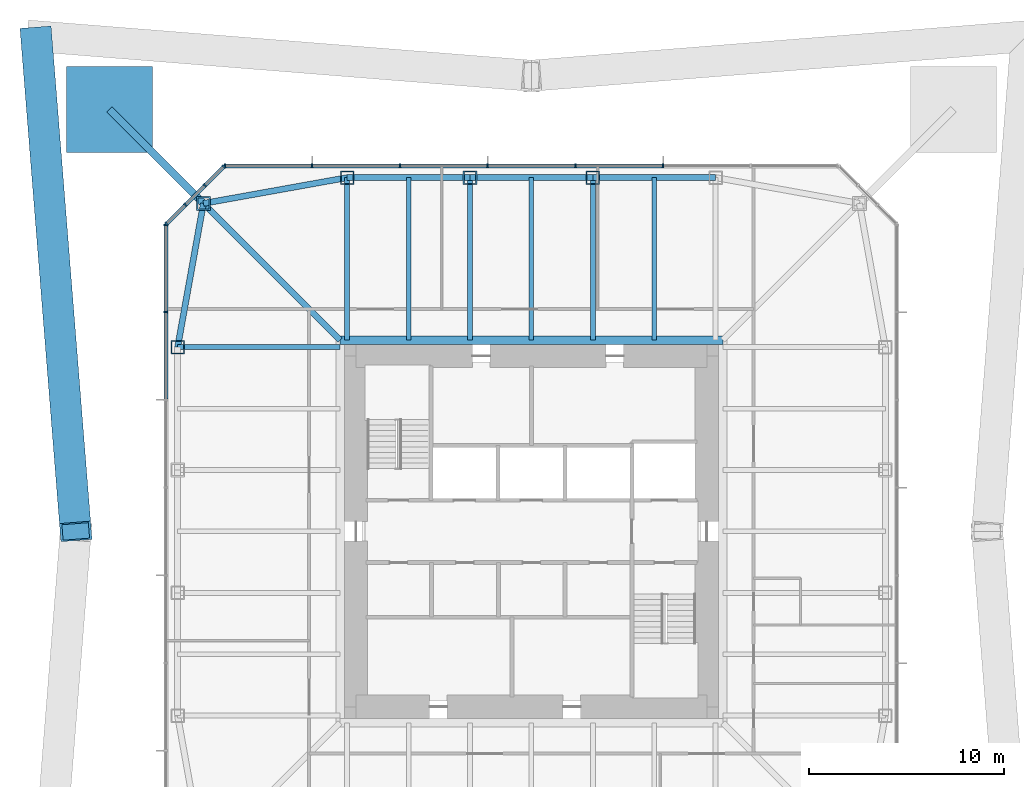
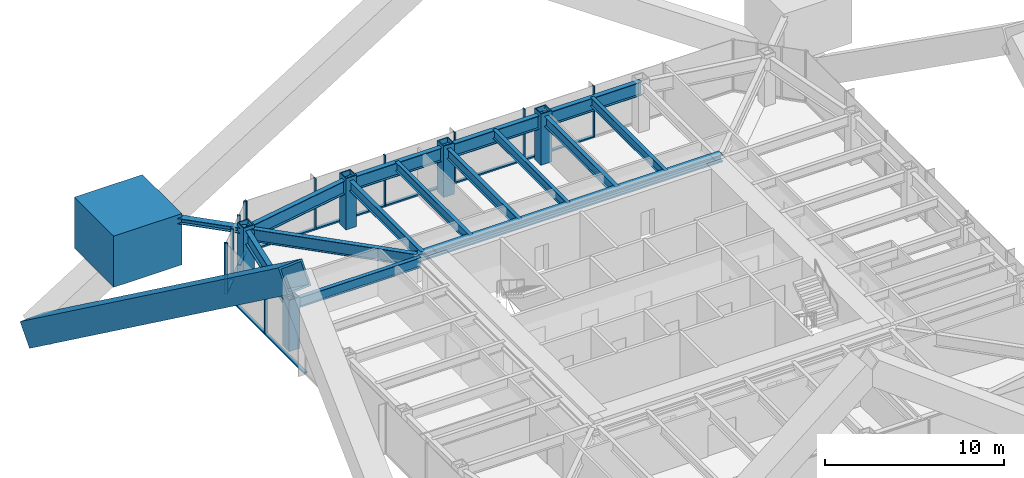
# One storey, part 4 of 11: 30 members, 14 beams, 3 elements without a shape of their own.
"""IFC4 building model written with IfcOpenShell, lengths in metres."""

from ifc_helpers import new_model, si_unit, direction, frame, origin, origin_2d, place, context, subcontext, project, spatial, rectangle, hollow_rectangle, i_section, extrude, material, material_profile, profile_set, type_object, element, aggregate, save


model = new_model("IFC4")

# Units and contexts
model_context = context("Model", 3, precision=1e-05, world=origin(), true_north=direction((0.0, 1.0)))
body_context = subcontext(model_context, "Body", "Model", "MODEL_VIEW")
ifc_project = project(units=[si_unit("LENGTHUNIT", "METRE"), si_unit("AREAUNIT", "SQUARE_METRE"), si_unit("VOLUMEUNIT", "CUBIC_METRE"), si_unit("PLANEANGLEUNIT", "RADIAN"), si_unit("MASSUNIT", "GRAM", prefix="KILO")], contexts=[model_context])

# Site, building, storey
site_placement = place(None, origin())
site = spatial("IfcSite", under=ifc_project, at=site_placement, CompositionType="ELEMENT")
building_placement = place(site_placement, origin())
building = spatial("IfcBuilding", under=site, at=building_placement, Name="Iwan Alto Co-Living Towers", CompositionType="ELEMENT")
storey_placement = place(building_placement, frame((0.0, 0.0, 149.5)))
storey = spatial("IfcBuildingStorey", under=building, at=storey_placement, Name="L40", CompositionType="ELEMENT", Elevation=149.5)

# Curtain wall, members
ifc_material_1 = material(Name="Bronze aluminium unitised frame", Category="aluminium")
curtain_wall_type_1 = type_object("IfcCurtainWallType", Name="CURTAIN WALL CW-A", PredefinedType="NOTDEFINED", material=ifc_material_1)
curtain_wall_1_placement = place(storey_placement, origin())
curtain_wall_1 = element("IfcCurtainWall", 1, at=curtain_wall_1_placement, inside=storey, type_object=curtain_wall_type_1, Name="T1 curtain wall N L40", PredefinedType="NOTDEFINED")
ifc_material_2 = material(Name="Aluminium 6063-T6 bronze anodised", Category="aluminium")
ifc_material_profile_1 = material_profile(ifc_material_2, rectangle(XDim=0.199951171875, YDim=0.080078125, at=origin_2d()), Name="AL 80X200")
ifc_profile_set_1 = profile_set([ifc_material_profile_1], Name="Aluminium 6063-T6 bronze anodised")
member_type_1 = type_object("IfcMemberType", Name="CW-A MULLION 80X200", PredefinedType="MULLION", material=ifc_profile_set_1)
member_1_placement = place(storey_placement, frame((6.75, 18.75, 0.0), z_axis=(0.0, 0.0, 1.0), x_axis=(0.0, -1.0, 0.0)))
member_1 = element("IfcMember", 2, at=member_1_placement, type_object=member_type_1, Name="CW-A mullion 3", PredefinedType="MULLION", context=body_context, shape_type="SweptSolid", body=[
    extrude(rectangle(XDim=0.199951171875, YDim=0.080078125, at=origin_2d()), origin(), (0.0, 0.0, 1.0), 3.5),
])
member_2_placement = place(storey_placement, frame((2.25, 18.75, 0.0), z_axis=(0.0, 0.0, 1.0), x_axis=(0.0, -1.0, 0.0)))
member_2 = element("IfcMember", 3, at=member_2_placement, type_object=member_type_1, Name="CW-A mullion 4", PredefinedType="MULLION", context=body_context, shape_type="SweptSolid", body=[
    extrude(rectangle(XDim=0.199951171875, YDim=0.080078125, at=origin_2d()), origin(), (0.0, 0.0, 1.0), 3.5),
])
member_3_placement = place(storey_placement, frame((-2.25, 18.75, 0.0), z_axis=(0.0, 0.0, 1.0), x_axis=(0.0, -1.0, 0.0)))
member_3 = element("IfcMember", 4, at=member_3_placement, type_object=member_type_1, Name="CW-A mullion 5", PredefinedType="MULLION", context=body_context, shape_type="SweptSolid", body=[
    extrude(rectangle(XDim=0.199951171875, YDim=0.080078125, at=origin_2d()), origin(), (0.0, 0.0, 1.0), 3.5),
])
member_4_placement = place(storey_placement, frame((-6.75, 18.75, 0.0), z_axis=(0.0, 0.0, 1.0), x_axis=(0.0, -1.0, 0.0)))
member_4 = element("IfcMember", 5, at=member_4_placement, type_object=member_type_1, Name="CW-A mullion 6", PredefinedType="MULLION", context=body_context, shape_type="SweptSolid", body=[
    extrude(rectangle(XDim=0.199951171875, YDim=0.080078125, at=origin_2d()), origin(), (0.0, 0.0, 1.0), 3.5),
])
member_5_placement = place(storey_placement, frame((-11.25, 18.75, 0.0), z_axis=(0.0, 0.0, 1.0), x_axis=(0.0, -1.0, 0.0)))
member_5 = element("IfcMember", 6, at=member_5_placement, type_object=member_type_1, Name="CW-A mullion 7", PredefinedType="MULLION", context=body_context, shape_type="SweptSolid", body=[
    extrude(rectangle(XDim=0.199951171875, YDim=0.080078125, at=origin_2d()), origin(), (0.0, 0.0, 1.0), 3.5),
])
member_6_placement = place(storey_placement, frame((-15.7099609375, 18.75, 0.0), z_axis=(0.0, 0.0, 1.0), x_axis=(0.0, -1.0, 0.0)))
member_6 = element("IfcMember", 7, at=member_6_placement, type_object=member_type_1, Name="CW-A mullion 8", PredefinedType="MULLION", context=body_context, shape_type="SweptSolid", body=[
    extrude(rectangle(XDim=0.199951171875, YDim=0.080078125, at=origin_2d()), origin(), (0.0, 0.0, 1.0), 3.5),
])

curtain_wall_2_placement = place(storey_placement, origin())
curtain_wall_2 = element("IfcCurtainWall", 8, at=curtain_wall_2_placement, inside=storey, type_object=curtain_wall_type_1, Name="T1 curtain wall W L40", PredefinedType="NOTDEFINED")
member_7_placement = place(storey_placement, frame((-18.75, 15.7099609375, 0.0), z_axis=(0.0, 0.0, 1.0), x_axis=(1.0, 0.0, 0.0)))
member_7 = element("IfcMember", 9, at=member_7_placement, type_object=member_type_1, Name="CW-A mullion 1", PredefinedType="MULLION", context=body_context, shape_type="SweptSolid", body=[
    extrude(rectangle(XDim=0.199951171875, YDim=0.080078125, at=origin_2d()), origin(), (0.0, 0.0, 1.0), 3.5),
])
member_8_placement = place(storey_placement, frame((-18.75, 11.25, 0.0), z_axis=(0.0, 0.0, 1.0), x_axis=(1.0, 0.0, 0.0)))
member_8 = element("IfcMember", 10, at=member_8_placement, type_object=member_type_1, Name="CW-A mullion 2", PredefinedType="MULLION", context=body_context, shape_type="SweptSolid", body=[
    extrude(rectangle(XDim=0.199951171875, YDim=0.080078125, at=origin_2d()), origin(), (0.0, 0.0, 1.0), 3.5),
])

# Member
ifc_material_3 = material(Name="Aluminium 6063-T6 bronze anodised", Category="aluminium")
ifc_material_profile_2 = material_profile(ifc_material_3, rectangle(XDim=0.199951171875, YDim=0.10009765625, at=origin_2d()), Name="AL 200X100")
ifc_profile_set_2 = profile_set([ifc_material_profile_2], Name="Aluminium 6063-T6 bronze anodised")
member_type_2 = type_object("IfcMemberType", Name="CW-A TRANSOM 200X100", PredefinedType="USERDEFINED", material=ifc_profile_set_2)
member_9_placement = place(storey_placement, frame((6.7099609375, 18.75, 0.050048828125), z_axis=(-1.0, 0.0, 0.0), x_axis=(0.0, -1.0, 0.0)))
member_9 = element("IfcMember", 11, at=member_9_placement, type_object=member_type_2, Name="CW-A transom 3.1", ObjectType="TRANSOM", PredefinedType="USERDEFINED", context=body_context, shape_type="SweptSolid", body=[
    extrude(rectangle(XDim=0.199951171875, YDim=0.10009765625, at=origin_2d()), origin(), (0.0, 0.0, 1.0), 4.419921875),
])

member_10_placement = place(storey_placement, frame((2.2099609375, 18.75, 0.050048828125), z_axis=(-1.0, 0.0, 0.0), x_axis=(0.0, -1.0, 0.0)))
member_10 = element("IfcMember", 12, at=member_10_placement, type_object=member_type_2, Name="CW-A transom 4.1", ObjectType="TRANSOM", PredefinedType="USERDEFINED", context=body_context, shape_type="SweptSolid", body=[
    extrude(rectangle(XDim=0.199951171875, YDim=0.10009765625, at=origin_2d()), origin(), (0.0, 0.0, 1.0), 4.419921875),
])

member_11_placement = place(storey_placement, frame((-2.2900390625, 18.75, 0.050048828125), z_axis=(-1.0, 0.0, 0.0), x_axis=(0.0, -1.0, 0.0)))
member_11 = element("IfcMember", 13, at=member_11_placement, type_object=member_type_2, Name="CW-A transom 5.1", ObjectType="TRANSOM", PredefinedType="USERDEFINED", context=body_context, shape_type="SweptSolid", body=[
    extrude(rectangle(XDim=0.199951171875, YDim=0.10009765625, at=origin_2d()), origin(), (0.0, 0.0, 1.0), 4.419921875),
])

member_12_placement = place(storey_placement, frame((-6.7900390625, 18.75, 0.050048828125), z_axis=(-1.0, 0.0, 0.0), x_axis=(0.0, -1.0, 0.0)))
member_12 = element("IfcMember", 14, at=member_12_placement, type_object=member_type_2, Name="CW-A transom 6.1", ObjectType="TRANSOM", PredefinedType="USERDEFINED", context=body_context, shape_type="SweptSolid", body=[
    extrude(rectangle(XDim=0.199951171875, YDim=0.10009765625, at=origin_2d()), origin(), (0.0, 0.0, 1.0), 4.419921875),
])

member_13_placement = place(storey_placement, frame((-11.2900390625, 18.75, 0.050048828125), z_axis=(-1.0, 0.0, 0.0), x_axis=(0.0, -1.0, 0.0)))
member_13 = element("IfcMember", 15, at=member_13_placement, type_object=member_type_2, Name="CW-A transom 7.1", ObjectType="TRANSOM", PredefinedType="USERDEFINED", context=body_context, shape_type="SweptSolid", body=[
    extrude(rectangle(XDim=0.199951171875, YDim=0.10009765625, at=origin_2d()), origin(), (0.0, 0.0, 1.0), 4.3798828125),
])

aggregate(curtain_wall_1, [member_1, member_2, member_3, member_4, member_5, member_6, member_9, member_10, member_11, member_12, member_13])

member_14_placement = place(storey_placement, frame((-18.75, 15.669921875, 0.050048828125), z_axis=(0.0, -1.0, 0.0), x_axis=(1.0, 0.0, 0.0)))
member_14 = element("IfcMember", 16, at=member_14_placement, type_object=member_type_2, Name="CW-A transom 1.1", ObjectType="TRANSOM", PredefinedType="USERDEFINED", context=body_context, shape_type="SweptSolid", body=[
    extrude(rectangle(XDim=0.199951171875, YDim=0.10009765625, at=origin_2d()), origin(), (0.0, 0.0, 1.0), 4.3798828125),
])

member_15_placement = place(storey_placement, frame((-18.75, 11.2099609375, 0.050048828125), z_axis=(0.0, -1.0, 0.0), x_axis=(1.0, 0.0, 0.0)))
member_15 = element("IfcMember", 17, at=member_15_placement, type_object=member_type_2, Name="CW-A transom 2.1", ObjectType="TRANSOM", PredefinedType="USERDEFINED", context=body_context, shape_type="SweptSolid", body=[
    extrude(rectangle(XDim=0.199951171875, YDim=0.10009765625, at=origin_2d()), origin(), (0.0, 0.0, 1.0), 4.419921875),
])

aggregate(curtain_wall_2, [member_7, member_8, member_14, member_15])

# Curtain wall, members
ifc_material_4 = material(Name="Bronze aluminium unitised frame", Category="aluminium")
curtain_wall_type_2 = type_object("IfcCurtainWallType", Name="CURTAIN WALL CW-B", PredefinedType="NOTDEFINED", material=ifc_material_4)
curtain_wall_3_placement = place(storey_placement, origin())
curtain_wall_3 = element("IfcCurtainWall", 18, at=curtain_wall_3_placement, inside=storey, type_object=curtain_wall_type_2, Name="T1 chamfer curtain wall NW L40", PredefinedType="NOTDEFINED")
ifc_material_5 = material(Name="Aluminium 6063-T6 bronze anodised", Category="aluminium")
ifc_material_profile_3 = material_profile(ifc_material_5, rectangle(XDim=0.199951171875, YDim=0.080078125, at=origin_2d()), Name="AL 80X200")
ifc_profile_set_3 = profile_set([ifc_material_profile_3], Name="Aluminium 6063-T6 bronze anodised")
member_type_3 = type_object("IfcMemberType", Name="CW-B MULLION 80X200", PredefinedType="MULLION", material=ifc_profile_set_3)
member_16_placement = place(storey_placement, frame((-15.7783203125, 18.7216796875, 0.0), z_axis=(0.0, 0.0, 1.0), x_axis=(0.707106781187, -0.707106781187, 0.0)))
member_16 = element("IfcMember", 19, at=member_16_placement, type_object=member_type_3, Name="CW-B mullion 1", PredefinedType="MULLION", context=body_context, shape_type="SweptSolid", body=[
    extrude(rectangle(XDim=0.199951171875, YDim=0.080078125, at=origin_2d()), origin(), (0.0, 0.0, 1.0), 3.5),
])
member_17_placement = place(storey_placement, frame((-16.75, 17.75, 0.0), z_axis=(0.0, 0.0, 1.0), x_axis=(0.707106781187, -0.707106781187, 0.0)))
member_17 = element("IfcMember", 20, at=member_17_placement, type_object=member_type_3, Name="CW-B mullion 2", PredefinedType="MULLION", context=body_context, shape_type="SweptSolid", body=[
    extrude(rectangle(XDim=0.199951171875, YDim=0.080078125, at=origin_2d()), origin(), (0.0, 0.0, 1.0), 3.5),
])
member_18_placement = place(storey_placement, frame((-17.75, 16.75, 0.0), z_axis=(0.0, 0.0, 1.0), x_axis=(0.707106781187, -0.707106781187, 0.0)))
member_18 = element("IfcMember", 21, at=member_18_placement, type_object=member_type_3, Name="CW-B mullion 3", PredefinedType="MULLION", context=body_context, shape_type="SweptSolid", body=[
    extrude(rectangle(XDim=0.199951171875, YDim=0.080078125, at=origin_2d()), origin(), (0.0, 0.0, 1.0), 3.5),
])
member_19_placement = place(storey_placement, frame((-18.7216796875, 15.7783203125, 0.0), z_axis=(0.0, 0.0, 1.0), x_axis=(0.707106781187, -0.707106781187, 0.0)))
member_19 = element("IfcMember", 22, at=member_19_placement, type_object=member_type_3, Name="CW-B mullion 4", PredefinedType="MULLION", context=body_context, shape_type="SweptSolid", body=[
    extrude(rectangle(XDim=0.199951171875, YDim=0.080078125, at=origin_2d()), origin(), (0.0, 0.0, 1.0), 3.5),
])
ifc_material_6 = material(Name="Aluminium 6063-T6 bronze anodised", Category="aluminium")
ifc_material_profile_4 = material_profile(ifc_material_6, rectangle(XDim=0.199951171875, YDim=0.10009765625, at=origin_2d()), Name="AL 200X100")
ifc_profile_set_4 = profile_set([ifc_material_profile_4], Name="Aluminium 6063-T6 bronze anodised")
member_type_4 = type_object("IfcMemberType", Name="CW-B TRANSOM 200X100", PredefinedType="USERDEFINED", material=ifc_profile_set_4)
member_20_placement = place(storey_placement, frame((-15.806640625, 18.693359375, 0.050048828125), z_axis=(-0.707106781187, -0.707106781187, 0.0), x_axis=(0.707106781187, -0.707106781187, 0.0)))
member_20 = element("IfcMember", 23, at=member_20_placement, type_object=member_type_4, Name="CW-B transom 1.1", ObjectType="TRANSOM", PredefinedType="USERDEFINED", context=body_context, shape_type="SweptSolid", body=[
    extrude(rectangle(XDim=0.199951171875, YDim=0.10009765625, at=origin_2d()), origin(), (0.0, 0.0, 1.0), 1.2939453125),
])
member_21_placement = place(storey_placement, frame((-16.7783203125, 17.7216796875, 0.050048828125), z_axis=(-0.707106781187, -0.707106781187, 0.0), x_axis=(0.707106781187, -0.707106781187, 0.0)))
member_21 = element("IfcMember", 24, at=member_21_placement, type_object=member_type_4, Name="CW-B transom 2.1", ObjectType="TRANSOM", PredefinedType="USERDEFINED", context=body_context, shape_type="SweptSolid", body=[
    extrude(rectangle(XDim=0.199951171875, YDim=0.10009765625, at=origin_2d()), origin(), (0.0, 0.0, 1.0), 1.334228515625),
])
member_22_placement = place(storey_placement, frame((-17.7783203125, 16.7216796875, 0.050048828125), z_axis=(-0.707106781187, -0.707106781187, 0.0), x_axis=(0.707106781187, -0.707106781187, 0.0)))
member_22 = element("IfcMember", 25, at=member_22_placement, type_object=member_type_4, Name="CW-B transom 3.1", ObjectType="TRANSOM", PredefinedType="USERDEFINED", context=body_context, shape_type="SweptSolid", body=[
    extrude(rectangle(XDim=0.199951171875, YDim=0.10009765625, at=origin_2d()), origin(), (0.0, 0.0, 1.0), 1.2939453125),
])
aggregate(curtain_wall_3, [member_16, member_17, member_18, member_19, member_20, member_21, member_22])

# Beams
ifc_material_7 = material(Name="Steel ASTM A992 Gr 50", Category="steel")
ifc_material_profile_5 = material_profile(ifc_material_7, i_section(OverallWidth=0.436767578125, OverallDepth=0.51318359375, WebThickness=0.060546875, FlangeThickness=0.096923828125, at=origin_2d()), Name="W14X550")
ifc_profile_set_5 = profile_set([ifc_material_profile_5], Name="Steel ASTM A992 Gr 50")
beam_type_1 = type_object("IfcBeamType", Name="T1 CORE LEDGER BEAM W14X550", PredefinedType="BEAM", material=ifc_profile_set_5)
beam_1_placement = place(storey_placement, frame((9.818359375, 9.818359375, 3.013427734375), z_axis=(-1.0, 0.0, 0.0), x_axis=(0.0, -1.0, 0.0)))
element("IfcBeam", 26, at=beam_1_placement, inside=storey, type_object=beam_type_1, Name="T1 core ledger beam N L41", PredefinedType="BEAM", context=body_context, shape_type="SweptSolid", body=[
    extrude(i_section(OverallWidth=0.436767578125, OverallDepth=0.51318359375, WebThickness=0.060546875, FlangeThickness=0.096923828125, at=origin_2d()), origin(), (0.0, 0.0, 1.0), 19.63671875),
])
ifc_material_8 = material(Name="Steel ASTM A992 Gr 50", Category="steel")
ifc_material_profile_6 = material_profile(ifc_material_8, i_section(OverallWidth=0.2919921875, OverallDepth=0.8408203125, WebThickness=0.0146484375, FlangeThickness=0.021728515625, at=origin_2d()), Name="W33X130")
ifc_profile_set_6 = profile_set([ifc_material_profile_6], Name="Steel ASTM A992 Gr 50")
beam_type_2 = type_object("IfcBeamType", Name="T1 CORNER GIRDER W33X130", PredefinedType="BEAM", material=ifc_profile_set_6)
beam_2_placement = place(storey_placement, frame((-16.82568359375, 16.82568359375, 2.849609375), z_axis=(0.707106781187, -0.707106781187, 0.0), x_axis=(0.707106781187, 0.707106781187, 0.0)))
element("IfcBeam", 27, at=beam_2_placement, inside=storey, type_object=beam_type_2, Name="T1 corner girder CNW L41", PredefinedType="BEAM", context=body_context, shape_type="SweptSolid", body=[
    extrude(i_section(OverallWidth=0.2919921875, OverallDepth=0.8408203125, WebThickness=0.0146484375, FlangeThickness=0.021728515625, at=origin_2d()), origin(), (0.0, 0.0, 1.0), 9.909912109375),
])
ifc_material_9 = material(Name="Steel ASTM A992 Gr 50", Category="steel")
ifc_material_profile_7 = material_profile(ifc_material_9, i_section(OverallWidth=0.307373046875, OverallDepth=0.927001953125, WebThickness=0.01953125, FlangeThickness=0.031982421875, at=origin_2d()), Name="W36X194")
ifc_profile_set_7 = profile_set([ifc_material_profile_7], Name="Steel ASTM A992 Gr 50")
beam_type_3 = type_object("IfcBeamType", Name="T1 EDGE BEAM W36X194", PredefinedType="BEAM", material=ifc_profile_set_7)
beam_3_placement = place(storey_placement, frame((9.449951171875, 18.14990234375, 2.806396484375), z_axis=(-1.0, 0.0, 0.0), x_axis=(0.0, -1.0, 0.0)))
element("IfcBeam", 28, at=beam_3_placement, inside=storey, type_object=beam_type_3, Name="T1 edge beam N1 L41", PredefinedType="BEAM", context=body_context, shape_type="SweptSolid", body=[
    extrude(i_section(OverallWidth=0.307373046875, OverallDepth=0.927001953125, WebThickness=0.01953125, FlangeThickness=0.031982421875, at=origin_2d()), origin(), (0.0, 0.0, 1.0), 6.300048828125),
])
beam_4_placement = place(storey_placement, frame((3.14990234375, 18.14990234375, 2.806396484375), z_axis=(-1.0, 0.0, 0.0), x_axis=(0.0, -1.0, 0.0)))
element("IfcBeam", 29, at=beam_4_placement, inside=storey, type_object=beam_type_3, Name="T1 edge beam N2 L41", PredefinedType="BEAM", context=body_context, shape_type="SweptSolid", body=[
    extrude(i_section(OverallWidth=0.307373046875, OverallDepth=0.927001953125, WebThickness=0.01953125, FlangeThickness=0.031982421875, at=origin_2d()), origin(), (0.0, 0.0, 1.0), 6.2998046875),
])
beam_5_placement = place(storey_placement, frame((-3.14990234375, 18.14990234375, 2.806396484375), z_axis=(-1.0, 0.0, 0.0), x_axis=(0.0, -1.0, 0.0)))
element("IfcBeam", 30, at=beam_5_placement, inside=storey, type_object=beam_type_3, Name="T1 edge beam N3 L41", PredefinedType="BEAM", context=body_context, shape_type="SweptSolid", body=[
    extrude(i_section(OverallWidth=0.307373046875, OverallDepth=0.927001953125, WebThickness=0.01953125, FlangeThickness=0.031982421875, at=origin_2d()), origin(), (0.0, 0.0, 1.0), 6.300048828125),
])
for number, where, z_axis, x_axis, name in (
    (31, (-9.449951171875, 18.14990234375, 2.806396484375), (-0.98426263553, -0.17671181143, 0.0), (0.17671181143, -0.98426263553, 0.0), "T1 edge beam N4 L41"),
    (32, (-16.82568359375, 16.82568359375, 2.806396484375), (-0.17671181143, -0.98426263553, 0.0), (0.98426263553, -0.17671181143, 0.0), "T1 edge beam CNW L41"),
):
    element("IfcBeam", number, at=place(storey_placement, frame(where, z_axis=z_axis, x_axis=x_axis)), inside=storey, type_object=beam_type_3, Name=name, PredefinedType="BEAM", context=body_context, shape_type="SweptSolid", body=[
        extrude(i_section(OverallWidth=0.307373046875, OverallDepth=0.927001953125, WebThickness=0.01953125, FlangeThickness=0.031982421875, at=origin_2d()), origin(), (0.0, 0.0, 1.0), 7.49365234375),
    ])

# Members
ifc_material_10 = material(Name="Steel ASTM A572 Gr 42", Category="steel")
ifc_material_profile_8 = material_profile(ifc_material_10, hollow_rectangle(XDim=1.60009765625, YDim=1.60009765625, WallThickness=0.1201171875, at=origin_2d()), Name="BOX 1600X1600X120")
ifc_profile_set_8 = profile_set([ifc_material_profile_8], Name="Steel ASTM A572 Gr 42")
member_type_5 = type_object("IfcMemberType", Name="T1 MEGA BRACE BOX 1600X1600X120", PredefinedType="BRACE", material=ifc_profile_set_8)
member_23_placement = place(storey_placement, frame((-25.39990234375, 25.39990234375, -6.0), z_axis=(0.064465293218, -0.808832630948, 0.584494654453), x_axis=(0.996838876178, 0.079449700698, 0.0)))
element("IfcMember", 33, at=member_23_placement, inside=storey, type_object=member_type_5, Name="T1 mega brace Z3A W 1 lower", PredefinedType="BRACE", context=body_context, shape_type="SweptSolid", body=[
    extrude(hollow_rectangle(XDim=1.60009765625, YDim=1.60009765625, WallThickness=0.1201171875, at=origin_2d()), origin(), (0.0, 0.0, 1.0), 31.403076171875),
])
ifc_material_11 = material(Name="Steel ASTM A992 Gr 50", Category="steel")
ifc_material_profile_9 = material_profile(ifc_material_11, i_section(OverallWidth=0.393798828125, OverallDepth=0.3759765625, WebThickness=0.017333984375, FlangeThickness=0.027587890625, at=origin_2d()), Name="W14X145")
ifc_profile_set_9 = profile_set([ifc_material_profile_9], Name="Steel ASTM A992 Gr 50")
member_type_6 = type_object("IfcMemberType", Name="T1 MEGA COLUMN FLOOR TIE W14X145", PredefinedType="STRUT", material=ifc_profile_set_9)
member_24_placement = place(storey_placement, frame((-21.64990234375, 21.64990234375, 3.08203125), z_axis=(0.707106781187, -0.707106781187, 0.0), x_axis=(0.707106781187, 0.707106781187, 0.0)))
element("IfcMember", 34, at=member_24_placement, inside=storey, type_object=member_type_6, Name="T1 mega column floor tie NW L41", PredefinedType="STRUT", context=body_context, shape_type="SweptSolid", body=[
    extrude(i_section(OverallWidth=0.393798828125, OverallDepth=0.3759765625, WebThickness=0.017333984375, FlangeThickness=0.027587890625, at=origin_2d()), origin(), (0.0, 0.0, 1.0), 6.822509765625),
])
ifc_material_12 = material(Name="Concrete f'c 70 MPa", Category="concrete")
ifc_material_profile_10 = material_profile(ifc_material_12, rectangle(XDim=4.39990234375, YDim=4.39990234375, at=origin_2d()), Name="RC 4400X4400")
ifc_profile_set_10 = profile_set([ifc_material_profile_10], Name="Concrete f'c 70 MPa")
member_type_7 = type_object("IfcMemberType", Name="T1 MEGA POST AT STEP RC 4400X4400", PredefinedType="MEMBER", material=ifc_profile_set_10)
member_25_placement = place(storey_placement, frame((-21.64990234375, 21.64990234375, 0.0), z_axis=(0.0, 0.0, 1.0), x_axis=(1.0, 0.0, 0.0)))
element("IfcMember", 35, at=member_25_placement, inside=storey, type_object=member_type_7, Name="T1 mega post at step NW L40", PredefinedType="MEMBER", context=body_context, shape_type="SweptSolid", body=[
    extrude(rectangle(XDim=4.39990234375, YDim=4.39990234375, at=origin_2d()), origin(), (0.0, 0.0, 1.0), 3.5),
    extrude(i_section(OverallWidth=0.4775390625, OverallDepth=0.599365234375, WebThickness=0.10009765625, FlangeThickness=0.139892578125, at=origin_2d()), origin(), (0.0, 0.0, 1.0), 3.5),
])

# Beams
ifc_material_13 = material(Name="Steel ASTM A992 Gr 50", Category="steel")
ifc_material_profile_11 = material_profile(ifc_material_13, i_section(OverallWidth=0.25390625, OverallDepth=0.683349609375, WebThickness=0.012451171875, FlangeThickness=0.018798828125, at=origin_2d()), Name="W27X94")
ifc_profile_set_11 = profile_set([ifc_material_profile_11], Name="Steel ASTM A992 Gr 50")
beam_type_4 = type_object("IfcBeamType", Name="T1 RADIAL BEAM W27X94", PredefinedType="BEAM", material=ifc_profile_set_11)
for number, where, z_axis, x_axis, name in (
    (36, (3.14990234375, 18.14990234375, 2.928466796875), (0.0, -1.0, 0.0), (1.0, 0.0, 0.0), "T1 radial beam N2 L41"),
    (37, (-3.14990234375, 18.14990234375, 2.928466796875), (0.0, -1.0, 0.0), (1.0, 0.0, 0.0), "T1 radial beam N3 L41"),
    (38, (-9.449951171875, 18.14990234375, 2.928466796875), (0.0, -1.0, 0.0), (1.0, 0.0, 0.0), "T1 radial beam N4 L41"),
    (39, (-18.14990234375, 9.449951171875, 2.928466796875), (1.0, 0.0, 0.0), (0.0, 1.0, 0.0), "T1 radial beam W1 L41"),
):
    element("IfcBeam", number, at=place(storey_placement, frame(where, z_axis=z_axis, x_axis=x_axis)), inside=storey, type_object=beam_type_4, Name=name, PredefinedType="BEAM", context=body_context, shape_type="SweptSolid", body=[
        extrude(i_section(OverallWidth=0.25390625, OverallDepth=0.683349609375, WebThickness=0.012451171875, FlangeThickness=0.018798828125, at=origin_2d()), origin(), (0.0, 0.0, 1.0), 8.33154296875),
    ])

# Members
ifc_material_14 = material(Name="Steel ASTM A572 Gr 50", Category="steel")
ifc_material_profile_12 = material_profile(ifc_material_14, hollow_rectangle(XDim=0.699951171875, YDim=0.699951171875, WallThickness=0.06005859375, at=origin_2d()), Name="BOX 700X700X60")
ifc_profile_set_12 = profile_set([ifc_material_profile_12], Name="Steel ASTM A572 Gr 50")
member_type_8 = type_object("IfcMemberType", Name="T1 RING POST AT STEP BOX 700X700X60", PredefinedType="MEMBER", material=ifc_profile_set_12)
for number, where, z_axis, x_axis, name in (
    (40, (3.14990234375, 18.14990234375, 0.0), (0.0, 0.0, 1.0), (1.0, 0.0, 0.0), "T1 ring post at step N2 L40"),
    (41, (-3.14990234375, 18.14990234375, 0.0), (0.0, 0.0, 1.0), (1.0, 0.0, 0.0), "T1 ring post at step N3 L40"),
    (42, (-9.449951171875, 18.14990234375, 0.0), (0.0, 0.0, 1.0), (1.0, 0.0, 0.0), "T1 ring post at step N4 L40"),
    (43, (-16.82568359375, 16.82568359375, 0.0), (0.0, 0.0, 1.0), (1.0, 0.0, 0.0), "T1 ring post at step CNW L40"),
    (44, (-18.14990234375, 9.449951171875, 0.0), (0.0, 0.0, 1.0), (1.0, 0.0, 0.0), "T1 ring post at step W1 L40"),
):
    element("IfcMember", number, at=place(storey_placement, frame(where, z_axis=z_axis, x_axis=x_axis)), inside=storey, type_object=member_type_8, Name=name, PredefinedType="MEMBER", context=body_context, shape_type="SweptSolid", body=[
        extrude(hollow_rectangle(XDim=0.699951171875, YDim=0.699951171875, WallThickness=0.06005859375, at=origin_2d()), origin(), (0.0, 0.0, 1.0), 3.5),
    ])

# Beams
ifc_material_15 = material(Name="Steel ASTM A992 Gr 50", Category="steel")
ifc_material_profile_13 = material_profile(ifc_material_15, i_section(OverallWidth=0.228271484375, OverallDepth=0.607177734375, WebThickness=0.01123046875, FlangeThickness=0.017333984375, at=origin_2d()), Name="W24X76")
ifc_profile_set_13 = profile_set([ifc_material_profile_13], Name="Steel ASTM A992 Gr 50")
beam_type_5 = type_object("IfcBeamType", Name="T1 SECONDARY BEAM W24X76", PredefinedType="JOIST", material=ifc_profile_set_13)
for number, where, z_axis, x_axis, name in (
    (45, (6.300048828125, 18.14990234375, 2.966552734375), (0.0, -1.0, 0.0), (1.0, 0.0, 0.0), "T1 secondary beam N1 L41"),
    (46, (0.0, 18.14990234375, 2.966552734375), (0.0, -1.0, 0.0), (1.0, 0.0, 0.0), "T1 secondary beam N2 L41"),
    (47, (-6.300048828125, 18.14990234375, 2.966552734375), (0.0, -1.0, 0.0), (1.0, 0.0, 0.0), "T1 secondary beam N3 L41"),
):
    element("IfcBeam", number, at=place(storey_placement, frame(where, z_axis=z_axis, x_axis=x_axis)), inside=storey, type_object=beam_type_5, Name=name, PredefinedType="JOIST", context=body_context, shape_type="SweptSolid", body=[
        extrude(i_section(OverallWidth=0.228271484375, OverallDepth=0.607177734375, WebThickness=0.01123046875, FlangeThickness=0.017333984375, at=origin_2d()), origin(), (0.0, 0.0, 1.0), 8.33154296875),
    ])

save(model, "model.ifc")
